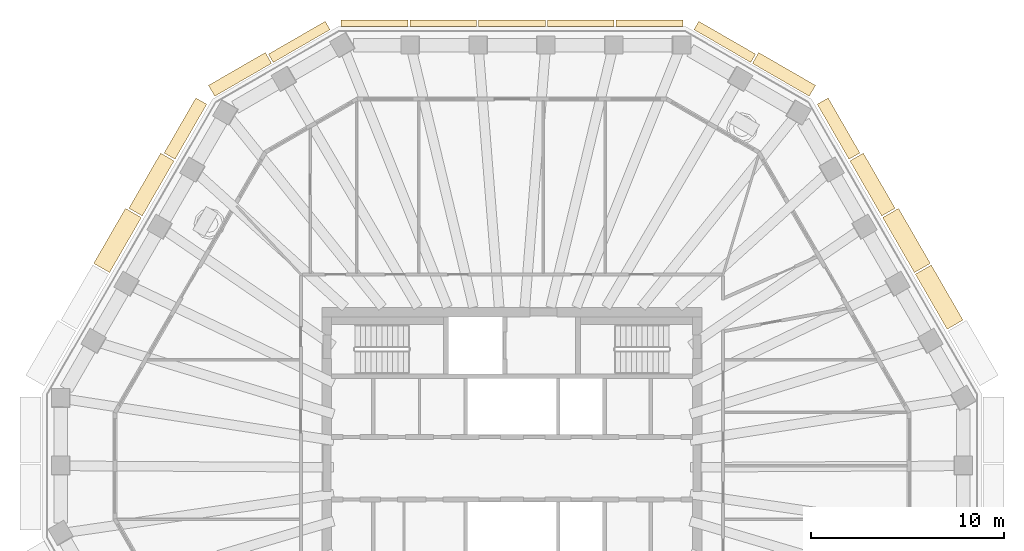
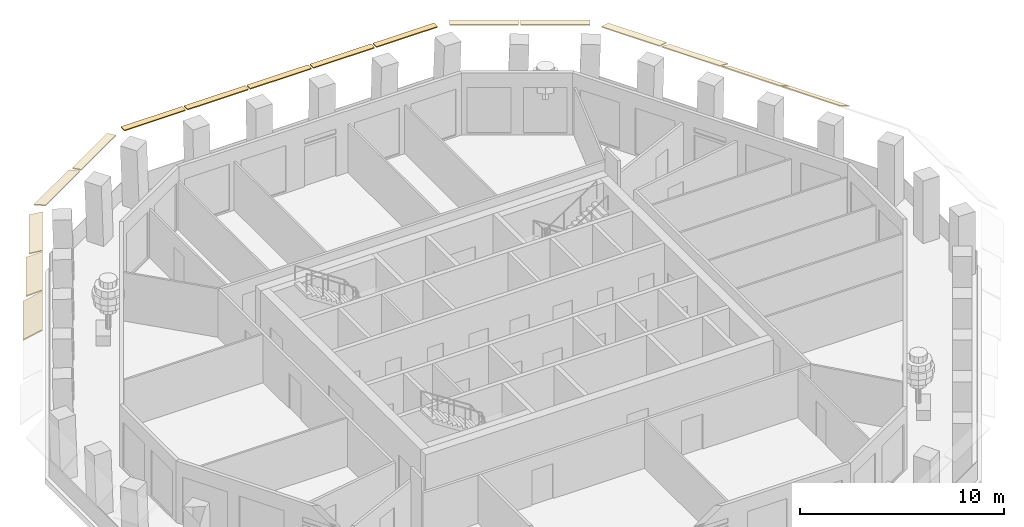
# One storey, part 10 of 12: 16 coverings.
"""IFC4 building model written with IfcOpenShell, lengths in metres."""

from ifc_helpers import new_model, si_unit, direction, frame, origin, place, context, subcontext, project, spatial, polyline, outline, extrude, material, layer, layer_set, type_object, element, save


model = new_model("IFC4")

# Units and contexts
model_context = context("Model", 3, precision=1e-05, world=origin(), true_north=direction((0.0, 1.0)))
body_context = subcontext(model_context, "Body", "Model", "MODEL_VIEW")
ifc_project = project(units=[si_unit("LENGTHUNIT", "METRE"), si_unit("AREAUNIT", "SQUARE_METRE"), si_unit("VOLUMEUNIT", "CUBIC_METRE"), si_unit("PLANEANGLEUNIT", "RADIAN"), si_unit("MASSUNIT", "GRAM", prefix="KILO")], contexts=[model_context])

# Site, building, storey
site_placement = place(None, origin())
site = spatial("IfcSite", under=ifc_project, at=site_placement, CompositionType="ELEMENT")
building_placement = place(site_placement, origin())
building = spatial("IfcBuilding", under=site, at=building_placement, Name="Frailejon Research Tower", CompositionType="ELEMENT")
storey_placement = place(building_placement, frame((0.0, 0.0, 267.0)))
storey = spatial("IfcBuildingStorey", under=building, at=storey_placement, Name="L58", CompositionType="ELEMENT", Elevation=267.0)

# Coverings
ifc_material_1 = material(Name="Precast concrete C50/60", Category="concrete")
ifc_layer_1 = layer(ifc_material_1, 0.06005859375)
ifc_layer_set_1 = layer_set([ifc_layer_1], Name="Brim blade depth 350")
covering_type_1 = type_object("IfcCoveringType", Name="Brim blade depth 350", PredefinedType="CLADDING", material=ifc_layer_set_1)
for number, where, z_axis, x_axis, name in (
    (1, (5.401611328125, 22.89990234375, 3.85009765625), (1.0, 0.0, 0.0), (0.0, 1.0, 0.0), "Brim blade L58"),
    (2, (1.833984375, 22.89990234375, 3.85009765625), (1.0, 0.0, 0.0), (0.0, 1.0, 0.0), "Brim blade L58"),
    (3, (-1.73388671875, 22.89990234375, 3.85009765625), (1.0, 0.0, 0.0), (0.0, 1.0, 0.0), "Brim blade L58"),
    (4, (-5.3017578125, 22.89990234375, 3.85009765625), (1.0, 0.0, 0.0), (0.0, 1.0, 0.0), "Brim blade L58"),
    (5, (-8.869384765625, 22.89990234375, 3.85009765625), (1.0, 0.0, 0.0), (0.0, 1.0, 0.0), "Brim blade L58"),
):
    element("IfcCovering", number, at=place(storey_placement, frame(where, z_axis=z_axis, x_axis=x_axis)), inside=storey, type_object=covering_type_1, Name=name, PredefinedType="CLADDING", context=body_context, shape_type="SweptSolid", body=[
        extrude(outline(polyline([(0.0, -0.06005859375), (0.35009765625, -0.06005859375), (0.35009765625, 0.0), (0.0, 0.0), (0.0, -0.06005859375)])), origin(), (0.0, 0.0, 1.0), 3.4677734375),
    ])
ifc_material_2 = material(Name="Precast concrete C50/60", Category="concrete")
ifc_layer_2 = layer(ifc_material_2, 0.06005859375)
ifc_layer_set_2 = layer_set([ifc_layer_2], Name="Brim blade depth 500")
covering_type_2 = type_object("IfcCoveringType", Name="Brim blade depth 500", PredefinedType="CLADDING", material=ifc_layer_set_2)
for number, where, z_axis, x_axis, name in (
    (6, (9.437744140625, 22.747802734375, 3.85009765625), (0.866023907216, -0.500002592124, 0.0), (0.500002592124, 0.866023907216, 0.0), "Brim blade L58"),
    (7, (-12.3837890625, 21.046630859375, 3.85009765625), (0.866023907216, 0.500002592124, 0.0), (-0.500002592124, 0.866023907216, 0.0), "Brim blade L58"),
):
    element("IfcCovering", number, at=place(storey_placement, frame(where, z_axis=z_axis, x_axis=x_axis)), inside=storey, type_object=covering_type_2, Name=name, PredefinedType="CLADDING", context=body_context, shape_type="SweptSolid", body=[
        extrude(outline(polyline([(0.0, -0.060546875), (0.5, -0.130859375), (0.5, -0.0703125), (0.0, 0.0), (0.0, -0.060546875)])), origin(), (0.0, 0.0, 1.0), 3.402099609375),
    ])
ifc_material_3 = material(Name="Precast concrete C50/60", Category="concrete")
ifc_layer_3 = layer(ifc_material_3, 0.06005859375)
ifc_layer_set_3 = layer_set([ifc_layer_3], Name="Brim blade depth 650")
covering_type_3 = type_object("IfcCoveringType", Name="Brim blade depth 650", PredefinedType="CLADDING", material=ifc_layer_set_3)
covering_1_placement = place(storey_placement, frame((15.832763671875, 18.879638671875, 3.85009765625), z_axis=(0.500005590161, -0.866022176279, 0.0), x_axis=(0.866022176279, 0.500005590161, 0.0)))
element("IfcCovering", 8, at=covering_1_placement, inside=storey, type_object=covering_type_3, Name="Brim blade L58", PredefinedType="CLADDING", context=body_context, shape_type="SweptSolid", body=[
    extrude(outline(polyline([(0.0, -0.0625), (0.64990234375, -0.248779296875), (0.64990234375, -0.186279296875), (0.0, 0.0), (0.0, -0.0625)])), origin(), (0.0, 0.0, 1.0), 3.293701171875),
])
for number, where, z_axis, x_axis, name in (
    (9, (12.470458984375, 20.99658203125, 3.85009765625), (0.866023907216, -0.500002592124, 0.0), (0.500002592124, 0.866023907216, 0.0), "Brim blade L58"),
    (10, (-15.416748046875, 19.295654296875, 3.85009765625), (0.866023907216, 0.500002592124, 0.0), (-0.500002592124, 0.866023907216, 0.0), "Brim blade L58"),
):
    element("IfcCovering", number, at=place(storey_placement, frame(where, z_axis=z_axis, x_axis=x_axis)), inside=storey, type_object=covering_type_3, Name=name, PredefinedType="CLADDING", context=body_context, shape_type="SweptSolid", body=[
        extrude(outline(polyline([(0.0, -0.0625), (0.64990234375, -0.248779296875), (0.64990234375, -0.186279296875), (0.0, 0.0), (0.0, -0.0625)])), origin(), (0.0, 0.0, 1.0), 3.402099609375),
    ])
covering_2_placement = place(storey_placement, frame((-17.4794921875, 16.02734375, 3.85009765625), z_axis=(0.500005590161, 0.866022176279, 0.0), x_axis=(-0.866022176279, 0.500005590161, 0.0)))
element("IfcCovering", 11, at=covering_2_placement, inside=storey, type_object=covering_type_3, Name="Brim blade L58", PredefinedType="CLADDING", context=body_context, shape_type="SweptSolid", body=[
    extrude(outline(polyline([(0.0, -0.0625), (0.64990234375, -0.248779296875), (0.64990234375, -0.186279296875), (0.0, 0.0), (0.0, -0.0625)])), origin(), (0.0, 0.0, 1.0), 3.293701171875),
])
ifc_material_4 = material(Name="Precast concrete C50/60", Category="concrete")
ifc_layer_4 = layer(ifc_material_4, 0.06005859375)
ifc_layer_set_4 = layer_set([ifc_layer_4], Name="Brim blade depth 800")
covering_type_4 = type_object("IfcCoveringType", Name="Brim blade depth 800", PredefinedType="CLADDING", material=ifc_layer_set_4)
for number, where, z_axis, x_axis, name in (
    (12, (17.529541015625, 15.94091796875, 3.85009765625), (0.500005590161, -0.866022176279, 0.0), (0.866022176279, 0.500005590161, 0.0), "Brim blade L58"),
    (13, (-19.17626953125, 13.08837890625, 3.85009765625), (0.500005590161, 0.866022176279, 0.0), (-0.866022176279, 0.500005590161, 0.0), "Brim blade L58"),
):
    element("IfcCovering", number, at=place(storey_placement, frame(where, z_axis=z_axis, x_axis=x_axis)), inside=storey, type_object=covering_type_4, Name=name, PredefinedType="CLADDING", context=body_context, shape_type="SweptSolid", body=[
        extrude(outline(polyline([(0.0, -0.065673828125), (0.800048828125, -0.421875), (0.800048828125, -0.356201171875), (0.0, 0.0), (0.0, -0.065673828125)])), origin(), (0.0, 0.0, 1.0), 3.293701171875),
    ])
ifc_material_5 = material(Name="Precast concrete C50/60", Category="concrete")
ifc_layer_5 = layer(ifc_material_5, 0.06005859375)
ifc_layer_set_5 = layer_set([ifc_layer_5], Name="Brim blade depth 950")
covering_type_5 = type_object("IfcCoveringType", Name="Brim blade depth 950", PredefinedType="CLADDING", material=ifc_layer_set_5)
for number, where, z_axis, x_axis, name in (
    (14, (20.923095703125, 10.06298828125, 3.85009765625), (0.500005590161, -0.866022176279, 0.0), (0.866022176279, 0.500005590161, 0.0), "Brim blade L58"),
    (15, (19.226318359375, 13.001953125, 3.85009765625), (0.49999283015, -0.86602954326, 0.0), (0.86602954326, 0.49999283015, 0.0), "Brim blade L58"),
    (16, (-20.873046875, 10.1494140625, 3.85009765625), (0.49999283015, 0.86602954326, 0.0), (-0.86602954326, 0.49999283015, 0.0), "Brim blade L58"),
):
    element("IfcCovering", number, at=place(storey_placement, frame(where, z_axis=z_axis, x_axis=x_axis)), inside=storey, type_object=covering_type_5, Name=name, PredefinedType="CLADDING", context=body_context, shape_type="SweptSolid", body=[
        extrude(outline(polyline([(0.0, -0.07080078125), (0.949951171875, -0.664306640625), (0.949951171875, -0.593505859375), (0.0, 0.0), (0.0, -0.07080078125)])), origin(), (0.0, 0.0, 1.0), 3.293701171875),
    ])

save(model, "model.ifc")
